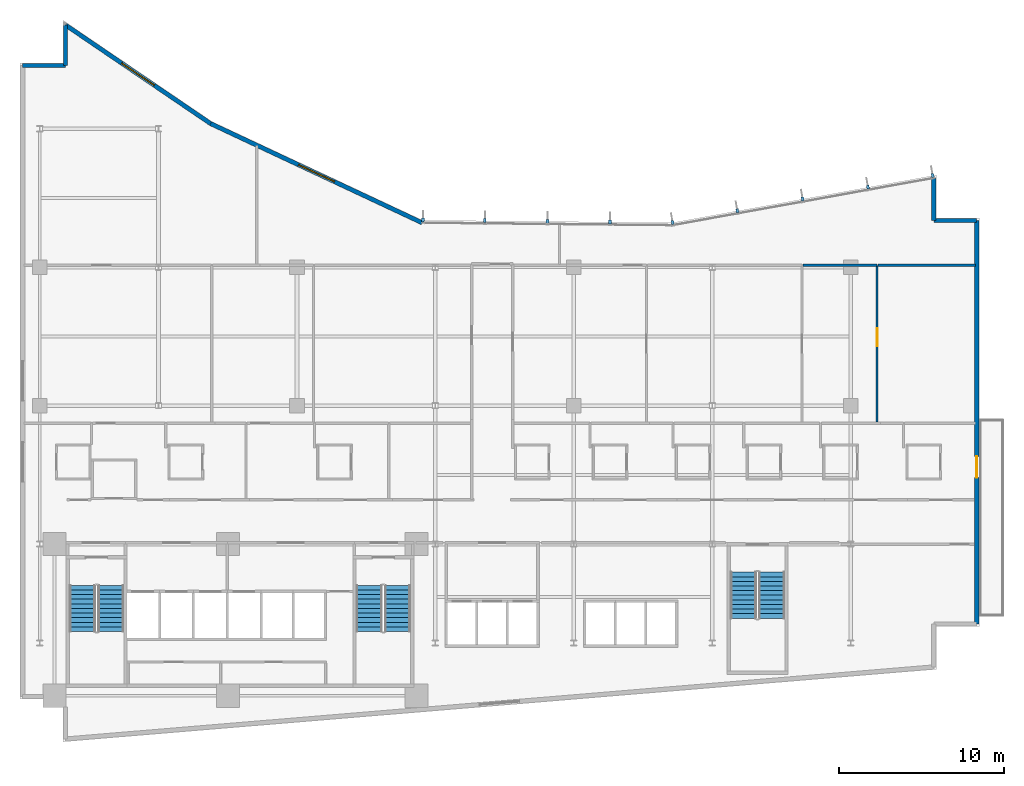
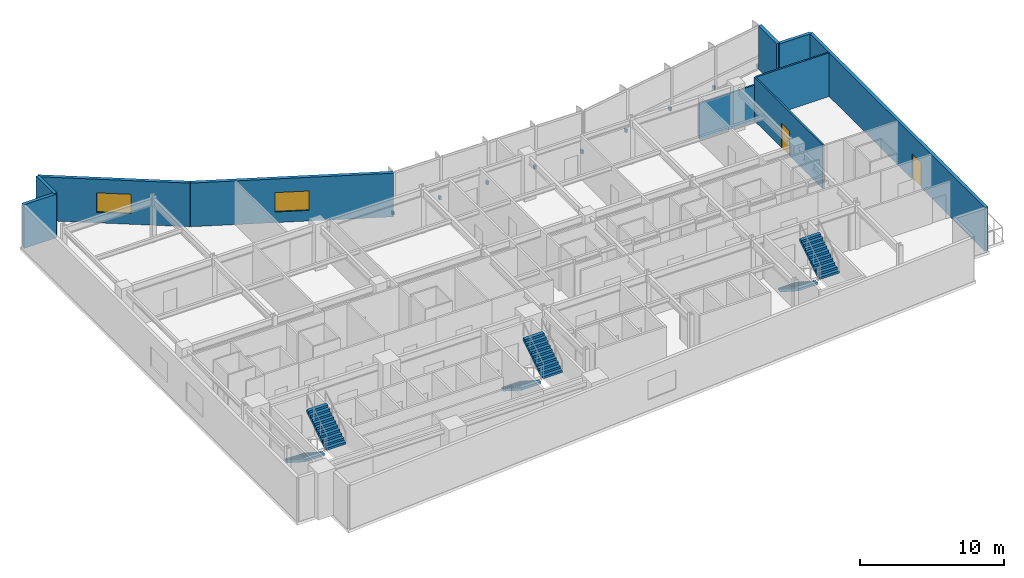
# One storey, part 14 of 19: 10 walls, 9 discrete accessories, 6 stair flights, 2 doors, 2 windows, 4 openings, 3 elements without a shape of their own.
"""IFC4 building model written with IfcOpenShell, lengths in metres."""

from ifc_helpers import new_model, si_unit, direction, frame, frame_2d, origin, origin_2d, place, context, subcontext, project, spatial, polyline, rectangle, outline, extrude, material, layer, layer_set, type_object, element, fill, aggregate, save


model = new_model("IFC4")

# Units and contexts
model_context = context("Model", 3, precision=1e-05, world=origin(), true_north=direction((0.0, 1.0)))
body_context = subcontext(model_context, "Body", "Model", "MODEL_VIEW")
ifc_project = project(units=[si_unit("LENGTHUNIT", "METRE"), si_unit("AREAUNIT", "SQUARE_METRE"), si_unit("VOLUMEUNIT", "CUBIC_METRE"), si_unit("PLANEANGLEUNIT", "RADIAN"), si_unit("MASSUNIT", "GRAM", prefix="KILO")], contexts=[model_context])

# Site, building, storey
site_placement = place(None, origin())
site = spatial("IfcSite", under=ifc_project, at=site_placement, CompositionType="ELEMENT")
building_placement = place(site_placement, origin())
building = spatial("IfcBuilding", under=site, at=building_placement, Name="Varnakote Quay Hospital", CompositionType="ELEMENT")
storey_placement = place(building_placement, frame((0.0, 0.0, 50.14990234375)))
storey = spatial("IfcBuildingStorey", under=building, at=storey_placement, Name="L12", CompositionType="ELEMENT", Elevation=50.14990234375)

# Wall, opening, door
ifc_material_1 = material(Name="Precast concrete N50 (f'c 50 MPa)", Category="concrete")
ifc_layer_1 = layer(ifc_material_1, 0.260009765625)
ifc_layer_set_1 = layer_set([ifc_layer_1], Name="Precast concrete N50 (f'c 50 MPa)")
wall_type_1 = type_object("IfcWallType", Name="WL-EXT-BRICK-260", PredefinedType="STANDARD", material=ifc_layer_set_1)
wall_1_placement = place(storey_placement, frame((58.0400390625, 7.159912109375, 0.0), z_axis=(0.0, 0.0, 1.0), x_axis=(0.0, 1.0, 0.0)))
wall_1 = element("IfcWall", 1, at=wall_1_placement, inside=storey, type_object=wall_type_1, Name="L12 Healing Terrace Portal Brick Wall", PredefinedType="STANDARD", context=body_context, shape_type="SweptSolid", body=[
    extrude(rectangle(XDim=24.47998046875, YDim=0.260009765625, at=frame_2d((12.239990234375, 0.0))), origin(), (0.0, 0.0, 1.0), 3.710205078125),
])
opening_1_placement = place(wall_1_placement, frame((8.8701171875, 0.0, 0.0)))
opening_1 = element("IfcOpeningElement", 2, at=opening_1_placement, cuts=wall_1, Name="Opening DT-L12", PredefinedType="OPENING", context=body_context, shape_type="SweptSolid", body=[
    extrude(rectangle(XDim=1.300048828125, YDim=2.14990234375, at=frame_2d((0.64990234375, 1.074951171875))), frame((0.0, 0.139892578125, 0.0), z_axis=(0.0, -1.0, 0.0), x_axis=(1.0, 0.0, 0.0)), (0.0, 0.0, 1.0), 0.280029296875),
])
ifc_material_2 = material(Name="Anodised aluminium glazed terrace door", Category="aluminium")
door_type_1 = type_object("IfcDoorType", Name="DR-EXT-TERR-1300x2150", OperationType="NOTDEFINED", PredefinedType="DOOR", material=ifc_material_2)
door_1_placement = place(opening_1_placement, origin())
door_1 = element("IfcDoor", 3, at=door_1_placement, inside=storey, type_object=door_type_1, Name="L12 Waterfront Healing Terrace Door", OperationType="SINGLE_SWING_LEFT", OverallHeight=2.14990234375, OverallWidth=1.300048828125, PredefinedType="DOOR", context=body_context, shape_type="SweptSolid", body=[
    extrude(rectangle(XDim=1.300048828125, YDim=2.14990234375, at=frame_2d((0.64990234375, 1.074951171875))), frame((0.0, 0.02490234375, 0.0), z_axis=(0.0, -1.0, 0.0), x_axis=(1.0, 0.0, 0.0)), (0.0, 0.0, 1.0), 0.050048828125),
])
fill(opening_1, door_1)

# Walls
wall_2_placement = place(storey_placement, frame((58.0400390625, 31.639892578125, 0.0), z_axis=(0.0, 0.0, 1.0), x_axis=(-1.0, 0.0, 0.0)))
element("IfcWall", 4, at=wall_2_placement, inside=storey, type_object=wall_type_1, Name="L12 Brick-Faced Precast Exterior Wall", PredefinedType="STANDARD", context=body_context, shape_type="SweptSolid", body=[
    extrude(rectangle(XDim=2.60009765625, YDim=0.260009765625, at=frame_2d((1.300048828125, 0.0))), origin(), (0.0, 0.0, 1.0), 3.710205078125),
])
wall_3_placement = place(storey_placement, frame((55.43994140625, 31.639892578125, 0.0), z_axis=(0.0, 0.0, 1.0), x_axis=(0.0, 1.0, 0.0)))
element("IfcWall", 5, at=wall_3_placement, inside=storey, type_object=wall_type_1, Name="L12 Brick-Faced Precast Exterior Wall", PredefinedType="STANDARD", context=body_context, shape_type="SweptSolid", body=[
    extrude(rectangle(XDim=2.568603515625, YDim=0.260009765625, at=frame_2d((1.2841796875, 0.0))), origin(), (0.0, 0.0, 1.0), 3.710205078125),
])

# Wall, opening, window
wall_4_placement = place(storey_placement, frame((24.40771484375, 31.4921875, 0.0), z_axis=(0.0, 0.0, 1.0), x_axis=(-0.905396522918, 0.424566998585, 0.0)))
wall_4 = element("IfcWall", 6, at=wall_4_placement, inside=storey, type_object=wall_type_1, Name="L12 Brick-Faced Precast Exterior Wall", PredefinedType="STANDARD", context=body_context, shape_type="SweptSolid", body=[
    extrude(rectangle(XDim=14.189453125, YDim=0.260009765625, at=frame_2d((7.0947265625, 0.0))), origin(), (0.0, 0.0, 1.0), 3.710205078125),
])
opening_2_placement = place(wall_4_placement, frame((5.894775390625, 0.0, 0.89990234375)))
opening_2 = element("IfcOpeningElement", 7, at=opening_2_placement, cuts=wall_4, Name="Opening WN-0063", PredefinedType="OPENING", context=body_context, shape_type="SweptSolid", body=[
    extrude(rectangle(XDim=2.39990234375, YDim=1.64990234375, at=frame_2d((1.199951171875, 0.824951171875))), frame((0.0, 0.139892578125, 0.0), z_axis=(0.0, -1.0, 0.0), x_axis=(1.0, 0.0, 0.0)), (0.0, 0.0, 1.0), 0.280029296875),
])
ifc_material_3 = material(Name="Double-glazed low-E solar glass", Category="glass")
window_type = type_object("IfcWindowType", Name="WIN-CLIN-2400x1650", PartitioningType="SINGLE_PANEL", PredefinedType="WINDOW", material=ifc_material_3)
window_1_placement = place(opening_2_placement, origin())
window_1 = element("IfcWindow", 8, at=window_1_placement, inside=storey, type_object=window_type, Name="L12 Solar-Control Clinical Window", OverallHeight=1.64990234375, OverallWidth=2.39990234375, PartitioningType="SINGLE_PANEL", PredefinedType="WINDOW", context=body_context, shape_type="SweptSolid", body=[
    extrude(rectangle(XDim=2.39990234375, YDim=1.64990234375, at=frame_2d((1.199951171875, 0.824951171875))), frame((0.0, 0.030029296875, 0.0), z_axis=(0.0, -1.0, 0.0), x_axis=(1.0, 0.0, 0.0)), (0.0, 0.0, 1.0), 0.06005859375),
])
fill(opening_2, window_1)

wall_5_placement = place(storey_placement, frame((11.560546875, 37.5166015625, 0.0), z_axis=(0.0, 0.0, 1.0), x_axis=(-0.827064743936, 0.562106670782, 0.0)))
wall_5 = element("IfcWall", 9, at=wall_5_placement, inside=storey, type_object=wall_type_1, Name="L12 Brick-Faced Precast Exterior Wall", PredefinedType="STANDARD", context=body_context, shape_type="SweptSolid", body=[
    extrude(rectangle(XDim=10.640625, YDim=0.260009765625, at=frame_2d((5.3203125, 0.0))), origin(), (0.0, 0.0, 1.0), 3.710205078125),
])
opening_3_placement = place(wall_5_placement, frame((4.120361328125, 0.0, 0.89990234375)))
opening_3 = element("IfcOpeningElement", 10, at=opening_3_placement, cuts=wall_5, Name="Opening WN-0064", PredefinedType="OPENING", context=body_context, shape_type="SweptSolid", body=[
    extrude(rectangle(XDim=2.39990234375, YDim=1.64990234375, at=frame_2d((1.199951171875, 0.824951171875))), frame((0.0, 0.139892578125, 0.0), z_axis=(0.0, -1.0, 0.0), x_axis=(1.0, 0.0, 0.0)), (0.0, 0.0, 1.0), 0.280029296875),
])
window_2_placement = place(opening_3_placement, origin())
window_2 = element("IfcWindow", 11, at=window_2_placement, inside=storey, type_object=window_type, Name="L12 Solar-Control Clinical Window", OverallHeight=1.64990234375, OverallWidth=2.39990234375, PartitioningType="SINGLE_PANEL", PredefinedType="WINDOW", context=body_context, shape_type="SweptSolid", body=[
    extrude(rectangle(XDim=2.39990234375, YDim=1.64990234375, at=frame_2d((1.199951171875, 0.824951171875))), frame((0.0, 0.030029296875, 0.0), z_axis=(0.0, -1.0, 0.0), x_axis=(1.0, 0.0, 0.0)), (0.0, 0.0, 1.0), 0.06005859375),
])
fill(opening_3, window_2)

# Walls
wall_6_placement = place(storey_placement, frame((2.760009765625, 43.497802734375, 0.0), z_axis=(0.0, 0.0, 1.0), x_axis=(0.0, -1.0, 0.0)))
element("IfcWall", 12, at=wall_6_placement, inside=storey, type_object=wall_type_1, Name="L12 Brick-Faced Precast Exterior Wall", PredefinedType="STANDARD", context=body_context, shape_type="SweptSolid", body=[
    extrude(rectangle(XDim=2.457763671875, YDim=0.260009765625, at=frame_2d((1.22900390625, 0.0))), origin(), (0.0, 0.0, 1.0), 3.710205078125),
])
wall_7_placement = place(storey_placement, frame((2.760009765625, 41.0400390625, 0.0), z_axis=(0.0, 0.0, 1.0), x_axis=(-1.0, 0.0, 0.0)))
element("IfcWall", 13, at=wall_7_placement, inside=storey, type_object=wall_type_1, Name="L12 Brick-Faced Precast Exterior Wall", PredefinedType="STANDARD", context=body_context, shape_type="SweptSolid", body=[
    extrude(rectangle(XDim=2.60009765625, YDim=0.260009765625, at=frame_2d((1.300048828125, 0.0))), origin(), (0.0, 0.0, 1.0), 3.710205078125),
])

# Wall, opening, door
ifc_material_4 = material(Name="Smoke-proof clinical partition", Category="gypsum")
ifc_layer_2 = layer(ifc_material_4, 0.135009765625)
ifc_layer_set_2 = layer_set([ifc_layer_2], Name="Smoke-proof clinical partition")
wall_type_2 = type_object("IfcWallType", Name="WL-SMOKE-135", PredefinedType="PARTITIONING", material=ifc_layer_set_2)
wall_8_placement = place(storey_placement, frame((52.0, 19.3974609375, 0.0), z_axis=(0.0, 0.0, 1.0), x_axis=(0.0, 1.0, 0.0)))
wall_8 = element("IfcWall", 14, at=wall_8_placement, inside=storey, type_object=wall_type_2, Name="L12 Clinical Interior Partition", PredefinedType="PARTITIONING", context=body_context, shape_type="SweptSolid", body=[
    extrude(rectangle(XDim=9.5224609375, YDim=0.135009765625, at=frame_2d((4.76123046875, 0.0))), origin(), (0.0, 0.0, 1.0), 3.710205078125),
])
opening_4_placement = place(wall_8_placement, frame((4.6123046875, 0.0, 0.0)))
opening_4 = element("IfcOpeningElement", 15, at=opening_4_placement, cuts=wall_8, Name="Opening D-L12-DLNG", PredefinedType="OPENING", context=body_context, shape_type="SweptSolid", body=[
    extrude(rectangle(XDim=1.10009765625, YDim=2.10009765625, at=frame_2d((0.550048828125, 1.050048828125))), frame((0.0, 0.077392578125, 0.0), z_axis=(0.0, -1.0, 0.0), x_axis=(1.0, 0.0, 0.0)), (0.0, 0.0, 1.0), 0.155029296875),
])
ifc_material_5 = material(Name="Acoustic timber clinical consult door", Category="wood")
door_type_2 = type_object("IfcDoorType", Name="DR-CLIN-FD30S-1100x2100", OperationType="NOTDEFINED", PredefinedType="DOOR", material=ifc_material_5)
door_2_placement = place(opening_4_placement, origin())
door_2 = element("IfcDoor", 16, at=door_2_placement, inside=storey, type_object=door_type_2, Name="L12 Waterfront Patient & Family Dayroom Door", OperationType="SINGLE_SWING_RIGHT", OverallHeight=2.10009765625, OverallWidth=1.10009765625, PredefinedType="DOOR", context=body_context, shape_type="SweptSolid", body=[
    extrude(rectangle(XDim=1.10009765625, YDim=2.10009765625, at=frame_2d((0.550048828125, 1.050048828125))), frame((0.0, 0.02490234375, 0.0), z_axis=(0.0, -1.0, 0.0), x_axis=(1.0, 0.0, 0.0)), (0.0, 0.0, 1.0), 0.050048828125),
])
fill(opening_4, door_2)

# Walls
wall_9_placement = place(storey_placement, frame((52.0, 28.919921875, 0.0), z_axis=(0.0, 0.0, 1.0), x_axis=(-1.0, 0.0, 0.0)))
element("IfcWall", 17, at=wall_9_placement, inside=storey, type_object=wall_type_2, Name="L12 Clinical Interior Partition", PredefinedType="PARTITIONING", context=body_context, shape_type="SweptSolid", body=[
    extrude(rectangle(XDim=4.50244140625, YDim=0.135009765625, at=frame_2d((2.251220703125, 0.0))), origin(), (0.0, 0.0, 1.0), 3.072998046875),
])
wall_10_placement = place(storey_placement, frame((57.9599609375, 28.919921875, 0.0), z_axis=(0.0, 0.0, 1.0), x_axis=(-1.0, 0.0, 0.0)))
element("IfcWall", 18, at=wall_10_placement, inside=storey, type_object=wall_type_2, Name="L12 Clinical Interior Partition", PredefinedType="PARTITIONING", context=body_context, shape_type="SweptSolid", body=[
    extrude(rectangle(XDim=5.90234375, YDim=0.135009765625, at=frame_2d((2.951171875, 0.0))), origin(), (0.0, 0.0, 1.0), 3.710205078125),
])

# Stair, stair flights
ifc_material_6 = material(Name="Concrete N40 (f'c 40 MPa)", Category="concrete")
stair_type = type_object("IfcStairType", Name="STR-CORE-1580", PredefinedType="HALF_TURN_STAIR", material=ifc_material_6)
stair_1_placement = place(storey_placement, origin())
stair_1 = element("IfcStair", 19, at=stair_1_placement, inside=storey, type_object=stair_type, Name="L12 Fire-Isolated Exit Stair ST-01", PredefinedType="HALF_TURN_STAIR")
ifc_material_7 = material(Name="Concrete N40 (f'c 40 MPa)", Category="concrete")
ifc_layer_3 = layer(ifc_material_7, 0.159912109375)
ifc_layer_set_3 = layer_set([ifc_layer_3], Name="Concrete N40 (f'c 40 MPa)")
stair_flight_type = type_object("IfcStairFlightType", Name="FLT-CORE-1580", PredefinedType="STRAIGHT", material=ifc_layer_set_3)
stair_flight_1_placement = place(storey_placement, frame((3.7900390625, 9.5, 0.0), z_axis=(0.0, 0.0, 1.0), x_axis=(0.0, -1.0, 0.0)))
stair_flight_1 = element("IfcStairFlight", 20, at=stair_flight_1_placement, type_object=stair_flight_type, Name="ST-01 flight 1", NumberOfRisers=11, NumberOfTreads=10, PredefinedType="STRAIGHT", RiserHeight=0.179545455, TreadLength=0.28, context=body_context, shape_type="SweptSolid", body=[
    extrude(outline(polyline([(0.0, 0.0), (0.0, 0.179443359375), (0.280029296875, 0.179443359375), (0.280029296875, 0.359130859375), (0.56005859375, 0.359130859375), (0.56005859375, 0.53857421875), (0.840087890625, 0.53857421875), (0.840087890625, 0.71826171875), (1.1201171875, 0.71826171875), (1.1201171875, 0.897705078125), (1.39990234375, 0.897705078125), (1.39990234375, 1.077392578125), (1.679931640625, 1.077392578125), (1.679931640625, 1.2568359375), (1.9599609375, 1.2568359375), (1.9599609375, 1.436279296875), (2.239990234375, 1.436279296875), (2.239990234375, 1.615966796875), (2.52001953125, 1.615966796875), (2.52001953125, 1.79541015625), (2.800048828125, 1.79541015625), (2.800048828125, 1.97509765625), (2.800048828125, 1.60546875), (0.296142578125, 0.0), (0.0, 0.0)])), frame((0.0, 0.7900390625, 0.0), z_axis=(0.0, -1.0, 0.0), x_axis=(1.0, 0.0, 0.0)), (0.0, 0.0, 1.0), 1.580078125),
])
stair_flight_2_placement = place(storey_placement, frame((5.510009765625, 6.699951171875, 1.97509765625), z_axis=(0.0, 0.0, 1.0), x_axis=(0.0, 1.0, 0.0)))
stair_flight_2 = element("IfcStairFlight", 21, at=stair_flight_2_placement, type_object=stair_flight_type, Name="ST-01 flight 2", NumberOfRisers=11, NumberOfTreads=10, PredefinedType="STRAIGHT", RiserHeight=0.179545455, TreadLength=0.28, context=body_context, shape_type="SweptSolid", body=[
    extrude(outline(polyline([(0.0, 0.0), (0.0, 0.179443359375), (0.280029296875, 0.179443359375), (0.280029296875, 0.359130859375), (0.56005859375, 0.359130859375), (0.56005859375, 0.53857421875), (0.840087890625, 0.53857421875), (0.840087890625, 0.71826171875), (1.1201171875, 0.71826171875), (1.1201171875, 0.897705078125), (1.39990234375, 0.897705078125), (1.39990234375, 1.077392578125), (1.679931640625, 1.077392578125), (1.679931640625, 1.2568359375), (1.9599609375, 1.2568359375), (1.9599609375, 1.436279296875), (2.239990234375, 1.436279296875), (2.239990234375, 1.615966796875), (2.52001953125, 1.615966796875), (2.52001953125, 1.79541015625), (2.800048828125, 1.79541015625), (2.800048828125, 1.97509765625), (2.800048828125, 1.60546875), (0.296142578125, 0.0), (0.0, 0.0)])), frame((0.0, 0.7900390625, 0.0), z_axis=(0.0, -1.0, 0.0), x_axis=(1.0, 0.0, 0.0)), (0.0, 0.0, 1.0), 1.580078125),
])
aggregate(stair_1, [stair_flight_1, stair_flight_2])

stair_2_placement = place(storey_placement, origin())
stair_2 = element("IfcStair", 22, at=stair_2_placement, inside=storey, type_object=stair_type, Name="L12 Fire-Isolated Exit Stair ST-02", PredefinedType="HALF_TURN_STAIR")
stair_flight_3_placement = place(storey_placement, frame((21.18994140625, 9.5, 0.0), z_axis=(0.0, 0.0, 1.0), x_axis=(0.0, -1.0, 0.0)))
stair_flight_3 = element("IfcStairFlight", 23, at=stair_flight_3_placement, type_object=stair_flight_type, Name="ST-02 flight 1", NumberOfRisers=11, NumberOfTreads=10, PredefinedType="STRAIGHT", RiserHeight=0.179545455, TreadLength=0.28, context=body_context, shape_type="SweptSolid", body=[
    extrude(outline(polyline([(0.0, 0.0), (0.0, 0.179443359375), (0.280029296875, 0.179443359375), (0.280029296875, 0.359130859375), (0.56005859375, 0.359130859375), (0.56005859375, 0.53857421875), (0.840087890625, 0.53857421875), (0.840087890625, 0.71826171875), (1.1201171875, 0.71826171875), (1.1201171875, 0.897705078125), (1.39990234375, 0.897705078125), (1.39990234375, 1.077392578125), (1.679931640625, 1.077392578125), (1.679931640625, 1.2568359375), (1.9599609375, 1.2568359375), (1.9599609375, 1.436279296875), (2.239990234375, 1.436279296875), (2.239990234375, 1.615966796875), (2.52001953125, 1.615966796875), (2.52001953125, 1.79541015625), (2.800048828125, 1.79541015625), (2.800048828125, 1.97509765625), (2.800048828125, 1.60546875), (0.296142578125, 0.0), (0.0, 0.0)])), frame((0.0, 0.7900390625, 0.0), z_axis=(0.0, -1.0, 0.0), x_axis=(1.0, 0.0, 0.0)), (0.0, 0.0, 1.0), 1.580078125),
])
stair_flight_4_placement = place(storey_placement, frame((22.909912109375, 6.699951171875, 1.97509765625), z_axis=(0.0, 0.0, 1.0), x_axis=(0.0, 1.0, 0.0)))
stair_flight_4 = element("IfcStairFlight", 24, at=stair_flight_4_placement, type_object=stair_flight_type, Name="ST-02 flight 2", NumberOfRisers=11, NumberOfTreads=10, PredefinedType="STRAIGHT", RiserHeight=0.179545455, TreadLength=0.28, context=body_context, shape_type="SweptSolid", body=[
    extrude(outline(polyline([(0.0, 0.0), (0.0, 0.179443359375), (0.280029296875, 0.179443359375), (0.280029296875, 0.359130859375), (0.56005859375, 0.359130859375), (0.56005859375, 0.53857421875), (0.840087890625, 0.53857421875), (0.840087890625, 0.71826171875), (1.1201171875, 0.71826171875), (1.1201171875, 0.897705078125), (1.39990234375, 0.897705078125), (1.39990234375, 1.077392578125), (1.679931640625, 1.077392578125), (1.679931640625, 1.2568359375), (1.9599609375, 1.2568359375), (1.9599609375, 1.436279296875), (2.239990234375, 1.436279296875), (2.239990234375, 1.615966796875), (2.52001953125, 1.615966796875), (2.52001953125, 1.79541015625), (2.800048828125, 1.79541015625), (2.800048828125, 1.97509765625), (2.800048828125, 1.60546875), (0.296142578125, 0.0), (0.0, 0.0)])), frame((0.0, 0.7900390625, 0.0), z_axis=(0.0, -1.0, 0.0), x_axis=(1.0, 0.0, 0.0)), (0.0, 0.0, 1.0), 1.580078125),
])
aggregate(stair_2, [stair_flight_3, stair_flight_4])

stair_3_placement = place(storey_placement, origin())
stair_3 = element("IfcStair", 25, at=stair_3_placement, inside=storey, type_object=stair_type, Name="L12 Fire-Isolated Exit Stair ST-03", PredefinedType="HALF_TURN_STAIR")
stair_flight_5_placement = place(storey_placement, frame((43.889892578125, 10.300048828125, 0.0), z_axis=(0.0, 0.0, 1.0), x_axis=(0.0, -1.0, 0.0)))
stair_flight_5 = element("IfcStairFlight", 26, at=stair_flight_5_placement, type_object=stair_flight_type, Name="ST-03 flight 1", NumberOfRisers=11, NumberOfTreads=10, PredefinedType="STRAIGHT", RiserHeight=0.179545455, TreadLength=0.28, context=body_context, shape_type="SweptSolid", body=[
    extrude(outline(polyline([(0.0, 0.0), (0.0, 0.179443359375), (0.280029296875, 0.179443359375), (0.280029296875, 0.359130859375), (0.56005859375, 0.359130859375), (0.56005859375, 0.53857421875), (0.840087890625, 0.53857421875), (0.840087890625, 0.71826171875), (1.1201171875, 0.71826171875), (1.1201171875, 0.897705078125), (1.39990234375, 0.897705078125), (1.39990234375, 1.077392578125), (1.679931640625, 1.077392578125), (1.679931640625, 1.2568359375), (1.9599609375, 1.2568359375), (1.9599609375, 1.436279296875), (2.239990234375, 1.436279296875), (2.239990234375, 1.615966796875), (2.52001953125, 1.615966796875), (2.52001953125, 1.79541015625), (2.800048828125, 1.79541015625), (2.800048828125, 1.97509765625), (2.800048828125, 1.60546875), (0.296142578125, 0.0), (0.0, 0.0)])), frame((0.0, 0.7900390625, 0.0), z_axis=(0.0, -1.0, 0.0), x_axis=(1.0, 0.0, 0.0)), (0.0, 0.0, 1.0), 1.580078125),
])
stair_flight_6_placement = place(storey_placement, frame((45.610107421875, 7.5, 1.97509765625), z_axis=(0.0, 0.0, 1.0), x_axis=(0.0, 1.0, 0.0)))
stair_flight_6 = element("IfcStairFlight", 27, at=stair_flight_6_placement, type_object=stair_flight_type, Name="ST-03 flight 2", NumberOfRisers=11, NumberOfTreads=10, PredefinedType="STRAIGHT", RiserHeight=0.179545455, TreadLength=0.28, context=body_context, shape_type="SweptSolid", body=[
    extrude(outline(polyline([(0.0, 0.0), (0.0, 0.179443359375), (0.280029296875, 0.179443359375), (0.280029296875, 0.359130859375), (0.56005859375, 0.359130859375), (0.56005859375, 0.53857421875), (0.840087890625, 0.53857421875), (0.840087890625, 0.71826171875), (1.1201171875, 0.71826171875), (1.1201171875, 0.897705078125), (1.39990234375, 0.897705078125), (1.39990234375, 1.077392578125), (1.679931640625, 1.077392578125), (1.679931640625, 1.2568359375), (1.9599609375, 1.2568359375), (1.9599609375, 1.436279296875), (2.239990234375, 1.436279296875), (2.239990234375, 1.615966796875), (2.52001953125, 1.615966796875), (2.52001953125, 1.79541015625), (2.800048828125, 1.79541015625), (2.800048828125, 1.97509765625), (2.800048828125, 1.60546875), (0.296142578125, 0.0), (0.0, 0.0)])), frame((0.0, 0.7900390625, 0.0), z_axis=(0.0, -1.0, 0.0), x_axis=(1.0, 0.0, 0.0)), (0.0, 0.0, 1.0), 1.580078125),
])
aggregate(stair_3, [stair_flight_5, stair_flight_6])

# Discrete accessories
ifc_material_8 = material(Name="Anodised aluminium 6063-T6 Bronze", Category="aluminium")
discrete_accessory_type = type_object("IfcDiscreteAccessoryType", Name="ACC-FIN-BRACKET-180", PredefinedType="BRACKET", material=ifc_material_8)
for number, where, z_axis, x_axis, name in (
    (28, (55.372802734375, 34.369140625, 0.0), (0.0, 0.0, 1.0), (-0.984071739666, -0.177771795263, 0.0), "L12 Curtain Wall Fin Fixing Bracket"),
    (29, (51.447265625, 33.65966796875, 0.0), (0.0, 0.0, 1.0), (-0.984071739666, -0.177771795263, 0.0), "L12 Curtain Wall Fin Fixing Bracket"),
    (30, (47.484619140625, 32.943603515625, 0.0), (0.0, 0.0, 1.0), (-0.984071739666, -0.177771795263, 0.0), "L12 Curtain Wall Fin Fixing Bracket"),
    (31, (43.52197265625, 32.227294921875, 0.0), (0.0, 0.0, 1.0), (-0.984071739666, -0.177771795263, 0.0), "L12 Curtain Wall Fin Fixing Bracket"),
    (32, (39.59619140625, 31.517822265625, 0.0), (0.0, 0.0, 1.0), (-0.984071739666, -0.177771795263, 0.0), "L12 Curtain Wall Fin Fixing Bracket"),
    (33, (35.7958984375, 31.551025390625, 0.0), (0.0, 0.0, 1.0), (-0.999952236369, 0.009773688199, 0.0), "L12 Curtain Wall Fin Fixing Bracket"),
    (34, (32.000244140625, 31.588134765625, 0.0), (0.0, 0.0, 1.0), (-0.999952236369, 0.009773688199, 0.0), "L12 Curtain Wall Fin Fixing Bracket"),
    (35, (28.204833984375, 31.625244140625, 0.0), (0.0, 0.0, 1.0), (-0.999952236369, 0.009773688199, 0.0), "L12 Curtain Wall Fin Fixing Bracket"),
    (36, (24.44677734375, 31.661865234375, 0.0), (0.0, 0.0, 1.0), (-0.999952236369, 0.009773688199, 0.0), "L12 Curtain Wall Fin Fixing Bracket"),
):
    element("IfcDiscreteAccessory", number, at=place(storey_placement, frame(where, z_axis=z_axis, x_axis=x_axis)), inside=storey, type_object=discrete_accessory_type, Name=name, PredefinedType="BRACKET", context=body_context, shape_type="SweptSolid", body=[
        extrude(rectangle(XDim=0.159912109375, YDim=0.239990234375, at=origin_2d()), origin(), (0.0, 0.0, 1.0), 0.280029296875),
    ])

save(model, "model.ifc")
